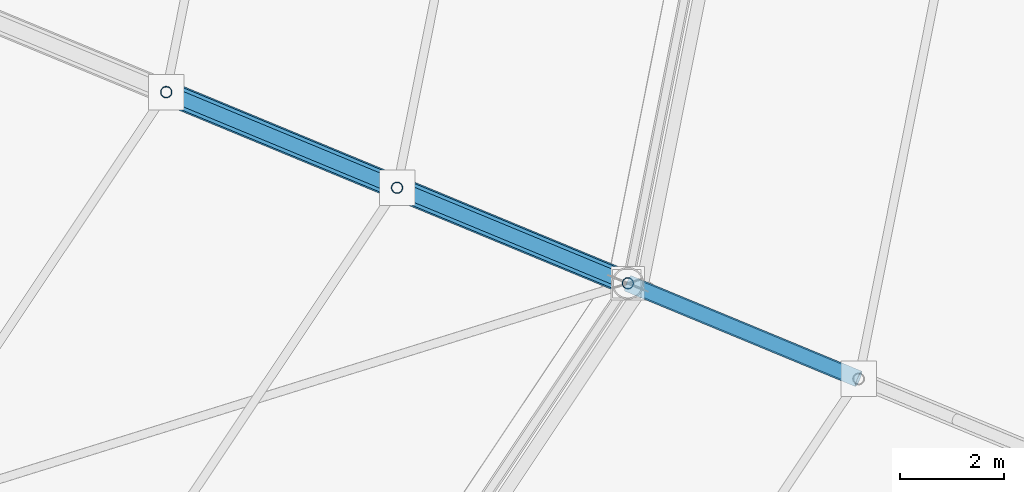
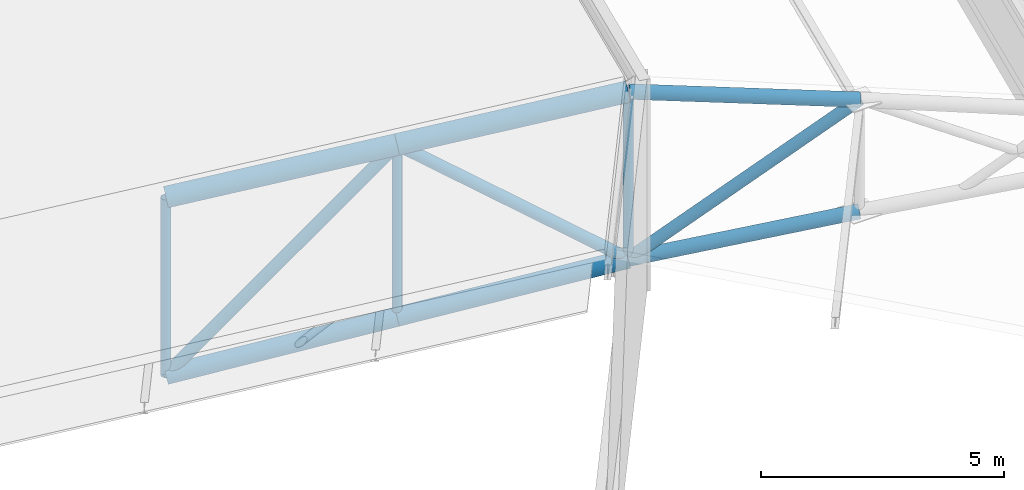
# One storey, part 69 of 146: 12 members.
"""IFC4 building model written with IfcOpenShell, lengths in metres."""

from ifc_helpers import new_model, si_unit, direction, frame, origin, origin_2d, place, context, subcontext, project, spatial, hollow_circle, extrude, material, material_profile, profile_set, type_object, element, save


model = new_model("IFC4")

# Units and contexts
model_context = context("Model", 3, precision=1e-05, world=origin(), true_north=direction((0.0, 1.0)))
body_context = subcontext(model_context, "Body", "Model", "MODEL_VIEW")
ifc_project = project(units=[si_unit("LENGTHUNIT", "METRE"), si_unit("AREAUNIT", "SQUARE_METRE"), si_unit("VOLUMEUNIT", "CUBIC_METRE"), si_unit("PLANEANGLEUNIT", "RADIAN"), si_unit("MASSUNIT", "GRAM", prefix="KILO")], contexts=[model_context])

# Site, building, storey
site_placement = place(None, origin())
site = spatial("IfcSite", under=ifc_project, at=site_placement, CompositionType="ELEMENT")
building_placement = place(site_placement, origin())
building = spatial("IfcBuilding", under=site, at=building_placement, Name="Candeia Ridge Stadium", CompositionType="ELEMENT")
storey_placement = place(building_placement, frame((0.0, 0.0, 31.800048828125)))
storey = spatial("IfcBuildingStorey", under=building, at=storey_placement, Name="RF", CompositionType="ELEMENT", Elevation=31.800048828125)

# Members
ifc_material = material(Name="Steel ASTM A572 Grade 50", Category="steel")
ifc_material_profile_1 = material_profile(ifc_material, hollow_circle(Radius=0.161865234375, WallThickness=0.012451171875, at=origin_2d()), Name="CHS323x12", Category="steel")
ifc_profile_set_1 = profile_set([ifc_material_profile_1], Name="Steel ASTM A572 Grade 50")
member_type_1 = type_object("IfcMemberType", Name="Roof Truss Eaves Chord CHS323x12", PredefinedType="CHORD", material=ifc_profile_set_1)
member_1_placement = place(storey_placement, frame((189.041748046875, 51.100341796875, 4.599853515625), z_axis=(0.915748479885, -0.379276360613, -0.132492127568), x_axis=(0.382649779007, 0.923893471471, 0.0)))
element("IfcMember", 1, at=member_1_placement, inside=storey, type_object=member_type_1, Name="Roof cantilever truss RT-29 top chord 7", PredefinedType="CHORD", context=body_context, shape_type="SweptSolid", body=[
    extrude(hollow_circle(Radius=0.161865234375, WallThickness=0.012451171875, at=origin_2d()), origin(), (0.0, 0.0, 1.0), 4.842529296875),
])
member_2_placement = place(storey_placement, frame((189.041748046875, 51.100341796875, 0.39990234375), z_axis=(0.91276056344, -0.378038852607, 0.154773317298), x_axis=(0.382649779007, 0.923893471471, 0.0)))
element("IfcMember", 2, at=member_2_placement, inside=storey, type_object=member_type_1, Name="Roof cantilever truss RT-29 bottom chord 7", PredefinedType="CHORD", context=body_context, shape_type="SweptSolid", body=[
    extrude(hollow_circle(Radius=0.161865234375, WallThickness=0.012451171875, at=origin_2d()), origin(), (0.0, 0.0, 1.0), 4.8583984375),
])
ifc_material_profile_2 = material_profile(ifc_material, hollow_circle(Radius=0.136474609375, WallThickness=0.010009765625, at=origin_2d()), Name="CHS273x10", Category="steel")
ifc_profile_set_2 = profile_set([ifc_material_profile_2], Name="Steel ASTM A572 Grade 50")
member_type_2 = type_object("IfcMemberType", Name="Roof Truss Heavy Web Brace CHS273x10", PredefinedType="BRACE", material=ifc_profile_set_2)
member_3_placement = place(storey_placement, frame((180.172607421875, 54.774169921875, -1.642822265625), z_axis=(0.616669163197, -0.255440364672, 0.744626996058), x_axis=(0.382693194178, 0.923875488976, 0.0)))
element("IfcMember", 3, at=member_3_placement, inside=storey, type_object=member_type_2, Name="Roof cantilever truss RT-29 diagonal web 5", PredefinedType="BRACE", context=body_context, shape_type="SweptSolid", body=[
    extrude(hollow_circle(Radius=0.136474609375, WallThickness=0.010009765625, at=origin_2d()), origin(), (0.0, 0.0, 1.0), 7.191162109375),
])
member_4_placement = place(storey_placement, frame((184.607177734375, 52.937255859375, 3.7119140625), z_axis=(0.760420904644, -0.314986065103, -0.567929420414), x_axis=(0.382693194178, 0.923875488976, 0.0)))
element("IfcMember", 4, at=member_4_placement, inside=storey, type_object=member_type_2, Name="Roof cantilever truss RT-29 diagonal web 6", PredefinedType="BRACE", context=body_context, shape_type="SweptSolid", body=[
    extrude(hollow_circle(Radius=0.136474609375, WallThickness=0.010009765625, at=origin_2d()), origin(), (0.0, 0.0, 1.0), 5.831787109375),
])
member_5_placement = place(storey_placement, frame((189.041748046875, 51.100341796875, 0.39990234375), z_axis=(0.742187529095, -0.307392467594, 0.595539706923), x_axis=(0.382649779007, 0.923893471471, 0.0)))
element("IfcMember", 5, at=member_5_placement, inside=storey, type_object=member_type_2, Name="Roof cantilever truss RT-29 diagonal web 7", PredefinedType="BRACE", context=body_context, shape_type="SweptSolid", body=[
    extrude(hollow_circle(Radius=0.136474609375, WallThickness=0.010009765625, at=origin_2d()), origin(), (0.0, 0.0, 1.0), 5.97509765625),
])
ifc_material_profile_3 = material_profile(ifc_material, hollow_circle(Radius=0.109619140625, WallThickness=0.010009765625, at=origin_2d()), Name="CHS219x10", Category="steel")
ifc_profile_set_3 = profile_set([ifc_material_profile_3], Name="Steel ASTM A572 Grade 50")
member_type_3 = type_object("IfcMemberType", Name="Roof Truss Inner Web Brace CHS219x10", PredefinedType="BRACE", material=ifc_profile_set_3)
member_6_placement = place(storey_placement, frame((180.172607421875, 54.774169921875, -1.642822265625), z_axis=(0.0, 0.0, 1.0), x_axis=(1.0, 0.0, 0.0)))
element("IfcMember", 6, at=member_6_placement, inside=storey, type_object=member_type_3, Name="Roof cantilever truss RT-29 vertical post 4", PredefinedType="BRACE", context=body_context, shape_type="SweptSolid", body=[
    extrude(hollow_circle(Radius=0.109619140625, WallThickness=0.010009765625, at=origin_2d()), origin(), (0.0, 0.0, 1.0), 4.466796875),
])
member_7_placement = place(storey_placement, frame((184.607177734375, 52.937255859375, -0.621337890625), z_axis=(0.0, 0.0, 1.0), x_axis=(1.0, 0.0, 0.0)))
element("IfcMember", 7, at=member_7_placement, inside=storey, type_object=member_type_3, Name="Roof cantilever truss RT-29 vertical post 5", PredefinedType="BRACE", context=body_context, shape_type="SweptSolid", body=[
    extrude(hollow_circle(Radius=0.109619140625, WallThickness=0.010009765625, at=origin_2d()), origin(), (0.0, 0.0, 1.0), 4.333251953125),
])
member_8_placement = place(storey_placement, frame((189.041748046875, 51.100341796875, 0.39990234375), z_axis=(0.0, 0.0, 1.0), x_axis=(1.0, 0.0, 0.0)))
element("IfcMember", 8, at=member_8_placement, inside=storey, type_object=member_type_3, Name="Roof cantilever truss RT-29 vertical post 6", PredefinedType="BRACE", context=body_context, shape_type="SweptSolid", body=[
    extrude(hollow_circle(Radius=0.109619140625, WallThickness=0.010009765625, at=origin_2d()), origin(), (0.0, 0.0, 1.0), 4.199951171875),
])
ifc_material_profile_4 = material_profile(ifc_material, hollow_circle(Radius=0.228515625, WallThickness=0.02001953125, at=origin_2d()), Name="CHS457x20", Category="steel")
ifc_profile_set_4 = profile_set([ifc_material_profile_4], Name="Steel ASTM A572 Grade 50")
member_type_4 = type_object("IfcMemberType", Name="Roof Truss Main Chord CHS457x20", PredefinedType="CHORD", material=ifc_profile_set_4)
for number, where, z_axis, x_axis, name in (
    (9, (180.172607421875, 54.774169921875, 2.823974609375), (0.908462082556, -0.376308561394, 0.181902477112), (0.382693194178, 0.923875488976, 0.0), "Roof cantilever truss RT-29 top chord 5"),
    (10, (184.607177734375, 52.937255859375, 3.7119140625), (0.908462082556, -0.376308561394, 0.181902477112), (0.382693194178, 0.923875488976, 0.0), "Roof cantilever truss RT-29 top chord 6"),
):
    element("IfcMember", number, at=place(storey_placement, frame(where, z_axis=z_axis, x_axis=x_axis)), inside=storey, type_object=member_type_4, Name=name, PredefinedType="CHORD", context=body_context, shape_type="SweptSolid", body=[
        extrude(hollow_circle(Radius=0.228515625, WallThickness=0.02001953125, at=origin_2d()), origin(), (0.0, 0.0, 1.0), 4.88134765625),
    ])
ifc_material_profile_5 = material_profile(ifc_material, hollow_circle(Radius=0.202880859375, WallThickness=0.01611328125, at=origin_2d()), Name="CHS406x16", Category="steel")
ifc_profile_set_5 = profile_set([ifc_material_profile_5], Name="Steel ASTM A572 Grade 50")
member_type_5 = type_object("IfcMemberType", Name="Roof Truss Outer Chord CHS406x16", PredefinedType="CHORD", material=ifc_profile_set_5)
for number, where, z_axis, x_axis, name in (
    (11, (180.172607421875, 54.774169921875, -1.642822265625), (0.903639847666, -0.374311066606, 0.208149588341), (0.382693194178, 0.923875488976, 0.0), "Roof cantilever truss RT-29 bottom chord 5"),
    (12, (184.607177734375, 52.937255859375, -0.621337890625), (0.903649204085, -0.374314942278, 0.208101994092), (0.382693194178, 0.923875488976, 0.0), "Roof cantilever truss RT-29 bottom chord 6"),
):
    element("IfcMember", number, at=place(storey_placement, frame(where, z_axis=z_axis, x_axis=x_axis)), inside=storey, type_object=member_type_5, Name=name, PredefinedType="CHORD", context=body_context, shape_type="SweptSolid", body=[
        extrude(hollow_circle(Radius=0.202880859375, WallThickness=0.01611328125, at=origin_2d()), origin(), (0.0, 0.0, 1.0), 4.907470703125),
    ])

save(model, "model.ifc")
